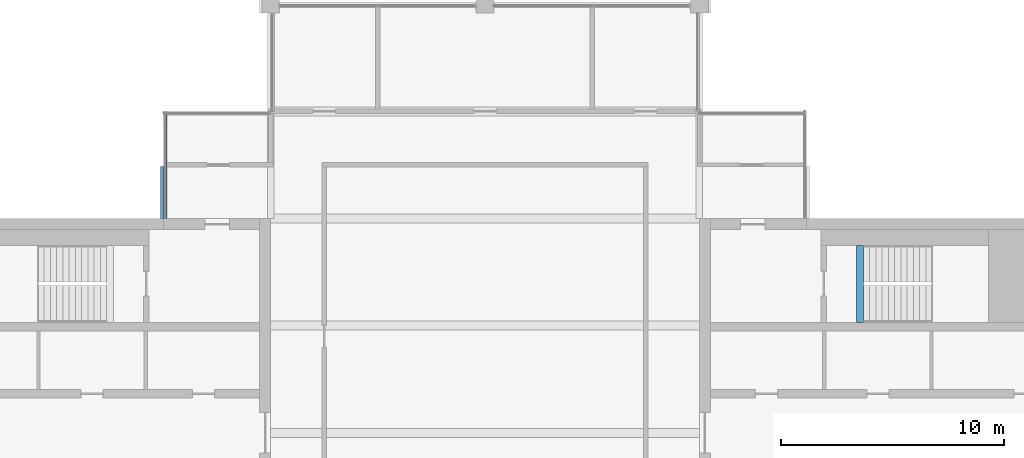
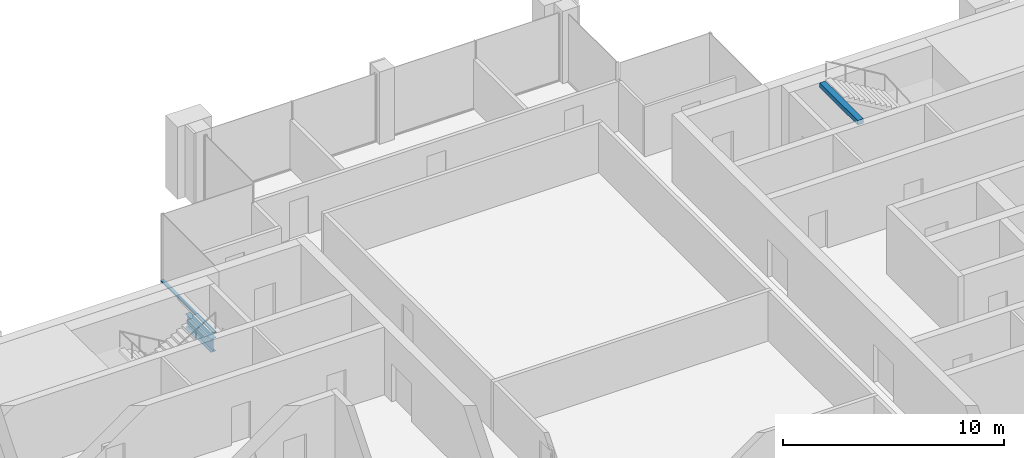
# One storey, part 5 of 11: 2 beams, 1 member, 1 element without a shape of its own.
"""IFC4 building model written with IfcOpenShell, lengths in metres."""

from ifc_helpers import new_model, si_unit, direction, frame, origin, origin_2d, place, context, subcontext, project, spatial, rectangle, i_section, extrude, material, material_profile, profile_set, type_object, element, aggregate, save


model = new_model("IFC4")

# Units and contexts
model_context = context("Model", 3, precision=1e-05, world=origin(), true_north=direction((0.0, 1.0)))
body_context = subcontext(model_context, "Body", "Model", "MODEL_VIEW")
ifc_project = project(units=[si_unit("LENGTHUNIT", "METRE"), si_unit("AREAUNIT", "SQUARE_METRE"), si_unit("VOLUMEUNIT", "CUBIC_METRE"), si_unit("PLANEANGLEUNIT", "RADIAN"), si_unit("MASSUNIT", "GRAM", prefix="KILO")], contexts=[model_context])

# Site, building, storey
site_placement = place(None, origin())
site = spatial("IfcSite", under=ifc_project, at=site_placement, CompositionType="ELEMENT")
building_placement = place(site_placement, origin())
building = spatial("IfcBuilding", under=site, at=building_placement, Name="Baori Bourse Tower", CompositionType="ELEMENT")
storey_placement = place(building_placement, frame((0.0, 0.0, 366.300048828125)))
storey = spatial("IfcBuildingStorey", under=building, at=storey_placement, Name="L82", CompositionType="ELEMENT", Elevation=366.300048828125)

# Curtain wall, member
ifc_material_1 = material(Name="Pale anodised aluminium", Category="aluminium")
curtain_wall_type = type_object("IfcCurtainWallType", Name="CW3 Curtain wall", PredefinedType="NOTDEFINED", material=ifc_material_1)
curtain_wall_placement = place(storey_placement, origin())
curtain_wall = element("IfcCurtainWall", 1, at=curtain_wall_placement, inside=storey, type_object=curtain_wall_type, Name="Curtain wall CW3 L82 9", PredefinedType="NOTDEFINED")
ifc_material_2 = material(Name="Pale anodised aluminium", Category="aluminium")
ifc_material_profile_1 = material_profile(ifc_material_2, rectangle(XDim=0.159912109375, YDim=0.06005859375, at=origin_2d()), Name="Transom 60x160")
ifc_profile_set_1 = profile_set([ifc_material_profile_1], Name="Pale anodised aluminium")
member_type = type_object("IfcMemberType", Name="CW3 Curtain wall transom", PredefinedType="USERDEFINED", material=ifc_profile_set_1)
member_placement = place(storey_placement, frame((14.47998046875, 43.199951171875, 0.030029296875), z_axis=(0.0, -1.0, 0.0), x_axis=(1.0, 0.0, 0.0)))
member = element("IfcMember", 2, at=member_placement, type_object=member_type, Name="Curtain wall CW3 sill rail", ObjectType="TRANSOM", PredefinedType="USERDEFINED", context=body_context, shape_type="SweptSolid", body=[
    extrude(rectangle(XDim=0.159912109375, YDim=0.06005859375, at=origin_2d()), origin(), (0.0, 0.0, 1.0), 4.800048828125),
])
aggregate(curtain_wall, [member])

# Beams
ifc_material_3 = material(Name="Steel A992 Gr 50", Category="steel")
ifc_material_profile_2 = material_profile(ifc_material_3, i_section(OverallWidth=0.26416015625, OverallDepth=0.749267578125, WebThickness=0.011962890625, FlangeThickness=0.015380859375, at=origin_2d()), Name="W30x90")
ifc_profile_set_2 = profile_set([ifc_material_profile_2], Name="Steel A992 Gr 50")
beam_type_1 = type_object("IfcBeamType", Name="Core bracket W30x90", PredefinedType="BEAM", material=ifc_profile_set_2)
beam_1_placement = place(storey_placement, frame((14.39990234375, 38.39990234375, -0.624755859375), z_axis=(0.0, 1.0, 0.0), x_axis=(-1.0, 0.0, 0.0)))
element("IfcBeam", 3, at=beam_1_placement, inside=storey, type_object=beam_type_1, Name="Core bracket L82", PredefinedType="BEAM", context=body_context, shape_type="SweptSolid", body=[
    extrude(i_section(OverallWidth=0.26416015625, OverallDepth=0.749267578125, WebThickness=0.011962890625, FlangeThickness=0.015380859375, at=origin_2d()), origin(), (0.0, 0.0, 1.0), 2.329833984375),
])
ifc_material_4 = material(Name="Concrete f'c 50 MPa", Category="concrete")
ifc_material_profile_3 = material_profile(ifc_material_4, rectangle(XDim=0.300048828125, YDim=0.25, at=origin_2d()), Name="RC 300x250")
ifc_profile_set_3 = profile_set([ifc_material_profile_3], Name="Concrete f'c 50 MPa")
beam_type_2 = type_object("IfcBeamType", Name="Stair nib beam RC 300x250", PredefinedType="BEAM", material=ifc_profile_set_3)
beam_2_placement = place(storey_placement, frame((45.60009765625, 33.75, 3.625), z_axis=(0.0, 1.0, 0.0), x_axis=(-1.0, 0.0, 0.0)))
element("IfcBeam", 4, at=beam_2_placement, inside=storey, type_object=beam_type_2, Name="Stair EB nib beam L83", PredefinedType="BEAM", context=body_context, shape_type="SweptSolid", body=[
    extrude(rectangle(XDim=0.300048828125, YDim=0.25, at=origin_2d()), origin(), (0.0, 0.0, 1.0), 3.449951171875),
])

save(model, "model.ifc")
